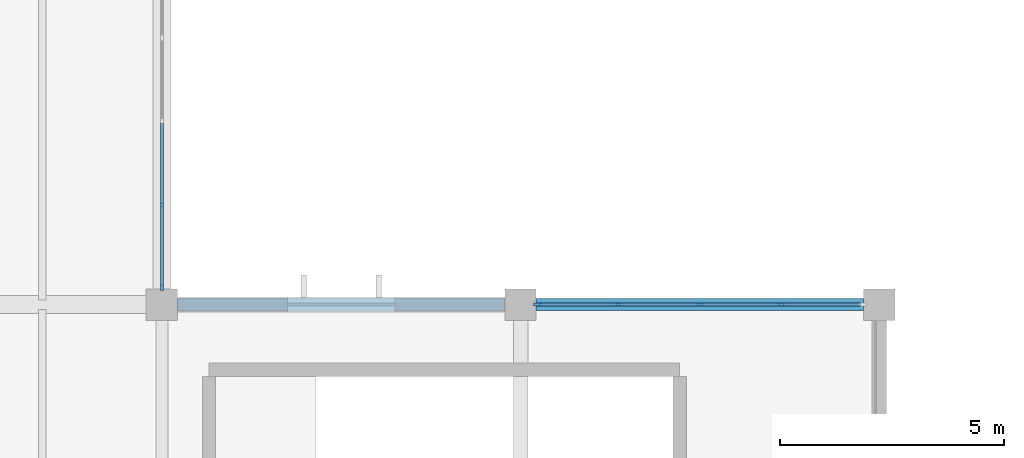
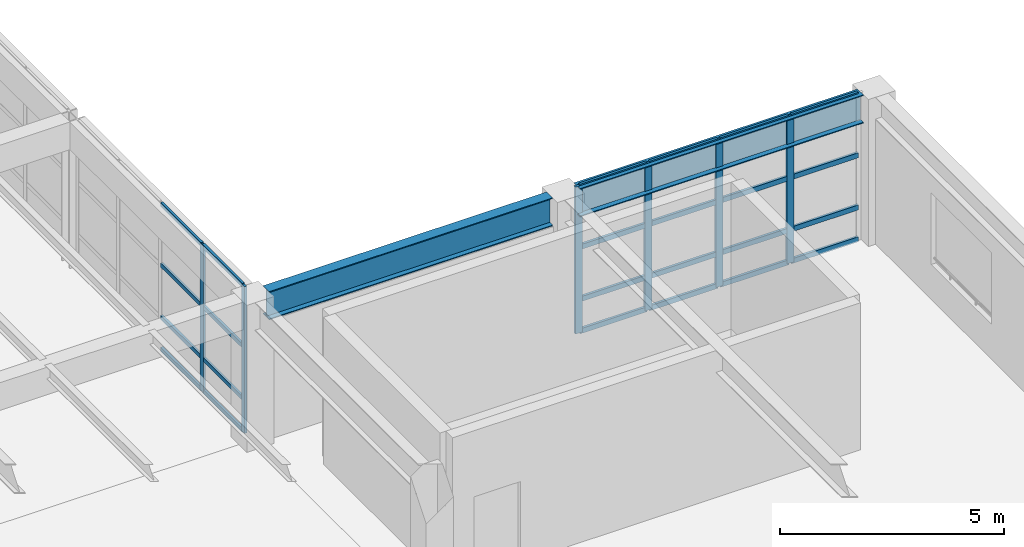
# One storey, part 12 of 48: 30 members, 2 beams, 2 elements without a shape of their own.
"""IFC4 building model written with IfcOpenShell, lengths in metres."""

import ifcopenshell
import ifcopenshell.guid

model = None  # the IFC model being written
_history = None  # IfcOwnerHistory: only IFC2X3 demands one
_inside = {}  # id of a spatial element -> (the spatial element, [elements in it])
_under = {}  # id of a project, library or spatial element -> (it, [spatial elements below it])
_declared = {}  # id of a project -> (the project, [libraries it declares])
_typed = {}  # id of a type object -> (the type object, [elements of that type])
_made_of = {}  # id of a material, layer set ... -> (it, [elements and type objects made of it])


def new_model(schema):
    """Start an empty IFC model of exactly this schema.

    Asked for "IFC4X3", IfcOpenShell would pick the latest addendum, in which some entities
    have other attributes; the version numbers below select the first issue.
    IFC2X3 requires an IfcOwnerHistory on every rooted entity: one is made here for all.
    """
    global model, _history
    if schema == "IFC4X3":
        model = ifcopenshell.file(schema_version=(4, 3, 0, 0))
    else:
        model = ifcopenshell.file(schema=schema)
    _inside.clear()
    _under.clear()
    _declared.clear()
    _typed.clear()
    _made_of.clear()
    _history = None
    if model.schema == "IFC2X3":
        org = make("IfcOrganization", Name="unknown")
        user = make(
            "IfcPersonAndOrganization",
            ThePerson=make("IfcPerson", FamilyName="unknown"),
            TheOrganization=org,
        )
        app = make(
            "IfcApplication",
            ApplicationDeveloper=org,
            Version="unknown",
            ApplicationFullName="unknown",
            ApplicationIdentifier="unknown",
        )
        _history = make(
            "IfcOwnerHistory",
            OwningUser=user,
            OwningApplication=app,
            ChangeAction="ADDED",
            CreationDate=0,
        )
    return model


def make(cls, **values):
    """One entity of the class cls with the attributes given. An attribute that is None is left unset."""
    return model.create_entity(
        cls, **{name: value for name, value in values.items() if value is not None}
    )


def rooted(cls, **values):
    """An entity with a GlobalId (a new one), such as an element, a storey or a relation."""
    return make(cls, GlobalId=ifcopenshell.guid.new(), OwnerHistory=_history, **values)


def si_unit(unit_type, name, prefix=None):
    """IfcSIUnit, for example si_unit("LENGTHUNIT", "METRE", prefix="MILLI")."""
    return make("IfcSIUnit", UnitType=unit_type, Prefix=prefix, Name=name)


def assignment(units):
    """IfcUnitAssignment: the units of a project."""
    return None if units is None else make("IfcUnitAssignment", Units=units)


def point(xyz):
    """IfcCartesianPoint."""
    return None if xyz is None else make("IfcCartesianPoint", Coordinates=xyz)


def direction(xyz):
    """IfcDirection."""
    return None if xyz is None else make("IfcDirection", DirectionRatios=xyz)


def frame(location, z_axis=None, x_axis=None):
    """IfcAxis2Placement3D, a coordinate frame: its origin and axes. An axis left out is left unset."""
    return make(
        "IfcAxis2Placement3D",
        Location=point(location),
        Axis=direction(z_axis),
        RefDirection=direction(x_axis),
    )


def frame_2d(location, x_axis=None):
    """IfcAxis2Placement2D, a coordinate frame in the plane: its origin and x axis."""
    return make(
        "IfcAxis2Placement2D", Location=point(location), RefDirection=direction(x_axis)
    )


def origin():
    """The frame at (0, 0, 0) with its axes left unset."""
    return frame((0.0, 0.0, 0.0))


def origin_2d():
    """The frame at (0, 0) in the plane with its x axis left unset."""
    return frame_2d((0.0, 0.0))


def place(relative_to, where):
    """IfcLocalPlacement: puts the frame where relative to a parent placement (None: the world)."""
    return make(
        "IfcLocalPlacement", PlacementRelTo=relative_to, RelativePlacement=where
    )


def context(
    kind, dimensions, precision=None, world=None, true_north=None, identifier=None
):
    """IfcGeometricRepresentationContext, for example the 3D "Model" context."""
    return make(
        "IfcGeometricRepresentationContext",
        ContextIdentifier=identifier,
        ContextType=kind,
        CoordinateSpaceDimension=dimensions,
        Precision=precision,
        WorldCoordinateSystem=world,
        TrueNorth=true_north,
    )


def subcontext(parent, identifier, kind, view, scale=None):
    """IfcGeometricRepresentationSubContext, for example "Body" below "Model"."""
    return make(
        "IfcGeometricRepresentationSubContext",
        ContextIdentifier=identifier,
        ContextType=kind,
        ParentContext=parent,
        TargetScale=scale,
        TargetView=view,
    )


def project(units=None, contexts=None):
    """IfcProject with its units and contexts."""
    return rooted(
        "IfcProject",
        Name="project",
        RepresentationContexts=contexts,
        UnitsInContext=assignment(units),
    )


def spatial(cls, under=None, at=None, **own):
    """A site, building, storey or space (cls), placed at a placement, below another one or the project."""
    s = rooted(cls, ObjectPlacement=at, **own)
    if under is not None:
        _under.setdefault(under.id(), (under, []))[1].append(s)
    return s


def profile(cls, at=None, kind="AREA", **sizes):
    """A parametric profile (cls). Its sizes go by their IFC names, for example OverallWidth=200.0."""
    return make(cls, ProfileType=kind, Position=at, **sizes)


def rectangle(**sizes):
    """IfcRectangleProfileDef."""
    return profile("IfcRectangleProfileDef", **sizes)


def i_section(**sizes):
    """IfcIShapeProfileDef."""
    return profile("IfcIShapeProfileDef", **sizes)


def extrude(swept, where, along, depth):
    """IfcExtrudedAreaSolid: the profile swept, set in the frame where, extruded along a direction by depth."""
    return make(
        "IfcExtrudedAreaSolid",
        SweptArea=swept,
        Position=where,
        ExtrudedDirection=direction(along),
        Depth=depth,
    )


def shape(context_of_items, identifier, shape_type, items):
    """IfcShapeRepresentation: the items that make up one representation, for example the "Body"."""
    return make(
        "IfcShapeRepresentation",
        ContextOfItems=context_of_items,
        RepresentationIdentifier=identifier,
        RepresentationType=shape_type,
        Items=items,
    )


def material(Name=None, Category=None):
    """IfcMaterial."""
    return make("IfcMaterial", Name=Name, Category=Category)


def layer(
    of_material, thickness, ventilated=None, Name=None, Category=None, Priority=None
):
    """IfcMaterialLayer: one layer of a wall or slab, of a material (None: an air gap)."""
    return make(
        "IfcMaterialLayer",
        Material=of_material,
        LayerThickness=thickness,
        IsVentilated=ventilated,
        Name=Name,
        Category=Category,
        Priority=Priority,
    )


def layer_set(layers, Name=None):
    """IfcMaterialLayerSet."""
    return make("IfcMaterialLayerSet", MaterialLayers=layers, LayerSetName=Name)


def material_profile(
    of_material, cross_section, Name=None, Category=None, Priority=None
):
    """IfcMaterialProfile: a cross section and its material."""
    return make(
        "IfcMaterialProfile",
        Name=Name,
        Material=of_material,
        Profile=cross_section,
        Priority=Priority,
        Category=Category,
    )


def profile_set(profiles, Name=None, composite=None):
    """IfcMaterialProfileSet."""
    return make(
        "IfcMaterialProfileSet",
        Name=Name,
        MaterialProfiles=profiles,
        CompositeProfile=composite,
    )


def made_of(thing, what):
    """Note that an element or type object is made of a material, layer set ...; save() writes the relation."""
    if what is not None:
        _made_of.setdefault(what.id(), (what, []))[1].append(thing)
    return thing


def type_object(cls, material=None, **own):
    """A type object (cls), such as IfcWallType, which elements share."""
    return made_of(rooted(cls, **own), material)


def element(
    cls,
    number,
    at=None,
    inside=None,
    cuts=None,
    type_object=None,
    material=None,
    context=None,
    identifier="Body",
    shape_type=None,
    held_by="IfcProductDefinitionShape",
    body=None,
    shapes=None,
    **own,
):
    """One element of the class cls, such as IfcWall. Its Tag is "e" and its number.

    at: its placement. inside: the storey or other place that contains it. cuts: it is an
    opening in that element (IfcRelVoidsElement). A single representation is given by context,
    identifier, shape_type and body (its items); several are given by shapes. held_by: the class
    of the entity that holds the representations. save() writes the other relations.
    """
    e = rooted(cls, Tag="e%d" % number, ObjectPlacement=at, **own)
    if body is not None:
        shapes = [shape(context, identifier, shape_type, body)]
    if shapes is not None:
        e.Representation = make(held_by, Representations=shapes)
    if inside is not None:
        _inside.setdefault(inside.id(), (inside, []))[1].append(e)
    if cuts is not None:
        rooted(
            "IfcRelVoidsElement", RelatingBuildingElement=cuts, RelatedOpeningElement=e
        )
    if type_object is not None:
        _typed.setdefault(type_object.id(), (type_object, []))[1].append(e)
    return made_of(e, material)


def aggregate(whole, parts):
    """IfcRelAggregates: a whole, such as a stair, and the parts it consists of."""
    return rooted("IfcRelAggregates", RelatingObject=whole, RelatedObjects=parts)


def save(model, path):
    """Write the relations noted so far, then the file.

    IfcRelAggregates (storeys below a building ...), IfcRelContainedInSpatialStructure (elements
    in a storey), IfcRelDefinesByType, IfcRelAssociatesMaterial and IfcRelDeclares: one each for
    every whole, place, type object, material and project.
    """
    for whole, parts in _under.values():
        aggregate(whole, parts)
    for where, things in _inside.values():
        rooted(
            "IfcRelContainedInSpatialStructure",
            RelatedElements=things,
            RelatingStructure=where,
        )
    for kind, things in _typed.values():
        rooted("IfcRelDefinesByType", RelatedObjects=things, RelatingType=kind)
    for what, things in _made_of.values():
        rooted("IfcRelAssociatesMaterial", RelatedObjects=things, RelatingMaterial=what)
    for by, libraries in _declared.values():
        rooted("IfcRelDeclares", RelatingContext=by, RelatedDefinitions=libraries)
    model.write(path)


model = new_model("IFC4")

# Units and contexts
model_context = context("Model", 3, precision=1e-05, world=origin(), true_north=direction((0.0, 1.0)))
body_context = subcontext(model_context, "Body", "Model", "MODEL_VIEW")
ifc_project = project(units=[si_unit("LENGTHUNIT", "METRE"), si_unit("AREAUNIT", "SQUARE_METRE"), si_unit("VOLUMEUNIT", "CUBIC_METRE"), si_unit("PLANEANGLEUNIT", "RADIAN"), si_unit("MASSUNIT", "GRAM", prefix="KILO")], contexts=[model_context])

# Site, building, storey
site_placement = place(None, origin())
site = spatial("IfcSite", under=ifc_project, at=site_placement, CompositionType="ELEMENT")
building_placement = place(site_placement, origin())
building = spatial("IfcBuilding", under=site, at=building_placement, Name="Varnela Railside Interchange", CompositionType="ELEMENT")
storey_placement = place(building_placement, frame((0.0, 0.0, 11.199951171875)))
storey = spatial("IfcBuildingStorey", under=building, at=storey_placement, Name="L02", CompositionType="ELEMENT", Elevation=11.199951171875)

# Beams
ifc_material_1 = material(Name="Steel AR 350 (350 MPa)", Category="steel")
ifc_material_profile_1 = material_profile(ifc_material_1, i_section(OverallWidth=0.26806640625, OverallDepth=0.77001953125, WebThickness=0.015625, FlangeThickness=0.025390625, at=origin_2d()), Name="W760x196")
ifc_profile_set_1 = profile_set([ifc_material_profile_1], Name="Steel AR 350 (350 MPa)")
beam_type = type_object("IfcBeamType", Name="Concourse Compression Ring Beam RB-01", PredefinedType="BEAM", material=ifc_profile_set_1)
for number, where, z_axis, x_axis, name in (
    (1, (52.35009765625, 62.0, 3.614990234375), (1.0, 0.0, 0.0), (0.0, 1.0, 0.0), "Concourse Compression Ring Beam RB-01 (L02) (BM-1984)"),
    (2, (60.35009765625, 62.0, 3.614990234375), (1.0, 0.0, 0.0), (0.0, 1.0, 0.0), "Concourse Compression Ring Beam RB-01 (L02) (BM-1985)"),
):
    element("IfcBeam", number, at=place(storey_placement, frame(where, z_axis=z_axis, x_axis=x_axis)), inside=storey, type_object=beam_type, Name=name, PredefinedType="BEAM", context=body_context, shape_type="SweptSolid", body=[
        extrude(i_section(OverallWidth=0.26806640625, OverallDepth=0.77001953125, WebThickness=0.015625, FlangeThickness=0.025390625, at=origin_2d()), origin(), (0.0, 0.0, 1.0), 7.2998046875),
    ])

# Curtain wall, members
ifc_material_2 = material(Name="Aluminium 6063-T6", Category="aluminium")
ifc_layer_1 = layer(ifc_material_2, 0.035888671875)
ifc_layer_set_1 = layer_set([ifc_layer_1], Name="Aluminium 6063-T6")
curtain_wall_type_1 = type_object("IfcCurtainWallType", Name="Concourse Triple-Height Curtain Wall CW-01", PredefinedType="USERDEFINED", material=ifc_layer_set_1)
curtain_wall_1_placement = place(storey_placement, origin())
curtain_wall_1 = element("IfcCurtainWall", 3, at=curtain_wall_1_placement, inside=storey, type_object=curtain_wall_type_1, Name="Curtain Wall CW-01 (L02) (CW-052)", ObjectType="CURTAIN WALL", PredefinedType="USERDEFINED")
ifc_material_profile_2 = material_profile(ifc_material_2, rectangle(XDim=0.06494140625, YDim=0.179931640625, at=origin_2d()), Name="ALU 65x180")
ifc_profile_set_2 = profile_set([ifc_material_profile_2], Name="Aluminium 6063-T6")
member_type_1 = type_object("IfcMemberType", Name="Concourse Tall Mullion ML-03", PredefinedType="MULLION", material=ifc_profile_set_2)
member_1_placement = place(storey_placement, frame((60.382568359375, 62.0, 0.0), z_axis=(0.0, 0.0, 1.0), x_axis=(0.0, 1.0, 0.0)))
member_1 = element("IfcMember", 4, at=member_1_placement, type_object=member_type_1, Name="CW-01 mullion 1", PredefinedType="MULLION", context=body_context, shape_type="SweptSolid", body=[
    extrude(rectangle(XDim=0.06494140625, YDim=0.179931640625, at=origin_2d()), origin(), (0.0, 0.0, 1.0), 4.0),
])
member_2_placement = place(storey_placement, frame((62.175048828125, 62.0, 0.0), z_axis=(0.0, 0.0, 1.0), x_axis=(0.0, 1.0, 0.0)))
member_2 = element("IfcMember", 5, at=member_2_placement, type_object=member_type_1, Name="CW-01 mullion 2", PredefinedType="MULLION", context=body_context, shape_type="SweptSolid", body=[
    extrude(rectangle(XDim=0.06494140625, YDim=0.179931640625, at=origin_2d()), origin(), (0.0, 0.0, 1.0), 4.0),
])
member_3_placement = place(storey_placement, frame((64.0, 62.0, 0.0), z_axis=(0.0, 0.0, 1.0), x_axis=(0.0, 1.0, 0.0)))
member_3 = element("IfcMember", 6, at=member_3_placement, type_object=member_type_1, Name="CW-01 mullion 3", PredefinedType="MULLION", context=body_context, shape_type="SweptSolid", body=[
    extrude(rectangle(XDim=0.06494140625, YDim=0.179931640625, at=origin_2d()), origin(), (0.0, 0.0, 1.0), 4.0),
])
member_4_placement = place(storey_placement, frame((65.824951171875, 62.0, 0.0), z_axis=(0.0, 0.0, 1.0), x_axis=(0.0, 1.0, 0.0)))
member_4 = element("IfcMember", 7, at=member_4_placement, type_object=member_type_1, Name="CW-01 mullion 4", PredefinedType="MULLION", context=body_context, shape_type="SweptSolid", body=[
    extrude(rectangle(XDim=0.06494140625, YDim=0.179931640625, at=origin_2d()), origin(), (0.0, 0.0, 1.0), 4.0),
])
ifc_material_profile_3 = material_profile(ifc_material_2, rectangle(XDim=0.06494140625, YDim=0.135009765625, at=origin_2d()), Name="ALU 65x135")
ifc_profile_set_3 = profile_set([ifc_material_profile_3], Name="Aluminium 6063-T6")
member_type_2 = type_object("IfcMemberType", Name="Concourse Transom TR-03", PredefinedType="USERDEFINED", material=ifc_profile_set_3)
member_5_placement = place(storey_placement, frame((60.4150390625, 62.0, 0.032470703125), z_axis=(1.0, 0.0, 0.0), x_axis=(0.0, 1.0, 0.0)))
member_5 = element("IfcMember", 8, at=member_5_placement, type_object=member_type_2, Name="CW-01 transom 1.1", ObjectType="TRANSOM", PredefinedType="USERDEFINED", context=body_context, shape_type="SweptSolid", body=[
    extrude(rectangle(XDim=0.06494140625, YDim=0.135009765625, at=origin_2d()), origin(), (0.0, 0.0, 1.0), 1.7275390625),
])
member_6_placement = place(storey_placement, frame((60.4150390625, 62.0, 0.900146484375), z_axis=(1.0, 0.0, 0.0), x_axis=(0.0, 1.0, 0.0)))
member_6 = element("IfcMember", 9, at=member_6_placement, type_object=member_type_2, Name="CW-01 transom 1.2", ObjectType="TRANSOM", PredefinedType="USERDEFINED", context=body_context, shape_type="SweptSolid", body=[
    extrude(rectangle(XDim=0.06494140625, YDim=0.135009765625, at=origin_2d()), origin(), (0.0, 0.0, 1.0), 1.7275390625),
])
member_7_placement = place(storey_placement, frame((60.4150390625, 62.0, 2.320068359375), z_axis=(1.0, 0.0, 0.0), x_axis=(0.0, 1.0, 0.0)))
member_7 = element("IfcMember", 10, at=member_7_placement, type_object=member_type_2, Name="CW-01 transom 1.3", ObjectType="TRANSOM", PredefinedType="USERDEFINED", context=body_context, shape_type="SweptSolid", body=[
    extrude(rectangle(XDim=0.06494140625, YDim=0.135009765625, at=origin_2d()), origin(), (0.0, 0.0, 1.0), 1.7275390625),
])
member_8_placement = place(storey_placement, frame((60.4150390625, 62.0, 3.967529296875), z_axis=(1.0, 0.0, 0.0), x_axis=(0.0, 1.0, 0.0)))
member_8 = element("IfcMember", 11, at=member_8_placement, type_object=member_type_2, Name="CW-01 transom 1.4", ObjectType="TRANSOM", PredefinedType="USERDEFINED", context=body_context, shape_type="SweptSolid", body=[
    extrude(rectangle(XDim=0.06494140625, YDim=0.135009765625, at=origin_2d()), origin(), (0.0, 0.0, 1.0), 1.7275390625),
])
member_9_placement = place(storey_placement, frame((62.20751953125, 62.0, 0.032470703125), z_axis=(1.0, 0.0, 0.0), x_axis=(0.0, 1.0, 0.0)))
member_9 = element("IfcMember", 12, at=member_9_placement, type_object=member_type_2, Name="CW-01 transom 2.1", ObjectType="TRANSOM", PredefinedType="USERDEFINED", context=body_context, shape_type="SweptSolid", body=[
    extrude(rectangle(XDim=0.06494140625, YDim=0.135009765625, at=origin_2d()), origin(), (0.0, 0.0, 1.0), 1.760009765625),
])
member_10_placement = place(storey_placement, frame((62.20751953125, 62.0, 0.900146484375), z_axis=(1.0, 0.0, 0.0), x_axis=(0.0, 1.0, 0.0)))
member_10 = element("IfcMember", 13, at=member_10_placement, type_object=member_type_2, Name="CW-01 transom 2.2", ObjectType="TRANSOM", PredefinedType="USERDEFINED", context=body_context, shape_type="SweptSolid", body=[
    extrude(rectangle(XDim=0.06494140625, YDim=0.135009765625, at=origin_2d()), origin(), (0.0, 0.0, 1.0), 1.760009765625),
])
member_11_placement = place(storey_placement, frame((62.20751953125, 62.0, 2.320068359375), z_axis=(1.0, 0.0, 0.0), x_axis=(0.0, 1.0, 0.0)))
member_11 = element("IfcMember", 14, at=member_11_placement, type_object=member_type_2, Name="CW-01 transom 2.3", ObjectType="TRANSOM", PredefinedType="USERDEFINED", context=body_context, shape_type="SweptSolid", body=[
    extrude(rectangle(XDim=0.06494140625, YDim=0.135009765625, at=origin_2d()), origin(), (0.0, 0.0, 1.0), 1.760009765625),
])
member_12_placement = place(storey_placement, frame((62.20751953125, 62.0, 3.967529296875), z_axis=(1.0, 0.0, 0.0), x_axis=(0.0, 1.0, 0.0)))
member_12 = element("IfcMember", 15, at=member_12_placement, type_object=member_type_2, Name="CW-01 transom 2.4", ObjectType="TRANSOM", PredefinedType="USERDEFINED", context=body_context, shape_type="SweptSolid", body=[
    extrude(rectangle(XDim=0.06494140625, YDim=0.135009765625, at=origin_2d()), origin(), (0.0, 0.0, 1.0), 1.760009765625),
])
member_13_placement = place(storey_placement, frame((64.032470703125, 62.0, 0.032470703125), z_axis=(1.0, 0.0, 0.0), x_axis=(0.0, 1.0, 0.0)))
member_13 = element("IfcMember", 16, at=member_13_placement, type_object=member_type_2, Name="CW-01 transom 3.1", ObjectType="TRANSOM", PredefinedType="USERDEFINED", context=body_context, shape_type="SweptSolid", body=[
    extrude(rectangle(XDim=0.06494140625, YDim=0.135009765625, at=origin_2d()), origin(), (0.0, 0.0, 1.0), 1.760009765625),
])
member_14_placement = place(storey_placement, frame((64.032470703125, 62.0, 0.900146484375), z_axis=(1.0, 0.0, 0.0), x_axis=(0.0, 1.0, 0.0)))
member_14 = element("IfcMember", 17, at=member_14_placement, type_object=member_type_2, Name="CW-01 transom 3.2", ObjectType="TRANSOM", PredefinedType="USERDEFINED", context=body_context, shape_type="SweptSolid", body=[
    extrude(rectangle(XDim=0.06494140625, YDim=0.135009765625, at=origin_2d()), origin(), (0.0, 0.0, 1.0), 1.760009765625),
])
member_15_placement = place(storey_placement, frame((64.032470703125, 62.0, 2.320068359375), z_axis=(1.0, 0.0, 0.0), x_axis=(0.0, 1.0, 0.0)))
member_15 = element("IfcMember", 18, at=member_15_placement, type_object=member_type_2, Name="CW-01 transom 3.3", ObjectType="TRANSOM", PredefinedType="USERDEFINED", context=body_context, shape_type="SweptSolid", body=[
    extrude(rectangle(XDim=0.06494140625, YDim=0.135009765625, at=origin_2d()), origin(), (0.0, 0.0, 1.0), 1.760009765625),
])
member_16_placement = place(storey_placement, frame((64.032470703125, 62.0, 3.967529296875), z_axis=(1.0, 0.0, 0.0), x_axis=(0.0, 1.0, 0.0)))
member_16 = element("IfcMember", 19, at=member_16_placement, type_object=member_type_2, Name="CW-01 transom 3.4", ObjectType="TRANSOM", PredefinedType="USERDEFINED", context=body_context, shape_type="SweptSolid", body=[
    extrude(rectangle(XDim=0.06494140625, YDim=0.135009765625, at=origin_2d()), origin(), (0.0, 0.0, 1.0), 1.760009765625),
])
member_17_placement = place(storey_placement, frame((65.857421875, 62.0, 0.032470703125), z_axis=(1.0, 0.0, 0.0), x_axis=(0.0, 1.0, 0.0)))
member_17 = element("IfcMember", 20, at=member_17_placement, type_object=member_type_2, Name="CW-01 transom 4.1", ObjectType="TRANSOM", PredefinedType="USERDEFINED", context=body_context, shape_type="SweptSolid", body=[
    extrude(rectangle(XDim=0.06494140625, YDim=0.135009765625, at=origin_2d()), origin(), (0.0, 0.0, 1.0), 1.7275390625),
])
member_18_placement = place(storey_placement, frame((65.857421875, 62.0, 0.900146484375), z_axis=(1.0, 0.0, 0.0), x_axis=(0.0, 1.0, 0.0)))
member_18 = element("IfcMember", 21, at=member_18_placement, type_object=member_type_2, Name="CW-01 transom 4.2", ObjectType="TRANSOM", PredefinedType="USERDEFINED", context=body_context, shape_type="SweptSolid", body=[
    extrude(rectangle(XDim=0.06494140625, YDim=0.135009765625, at=origin_2d()), origin(), (0.0, 0.0, 1.0), 1.7275390625),
])
member_19_placement = place(storey_placement, frame((65.857421875, 62.0, 2.320068359375), z_axis=(1.0, 0.0, 0.0), x_axis=(0.0, 1.0, 0.0)))
member_19 = element("IfcMember", 22, at=member_19_placement, type_object=member_type_2, Name="CW-01 transom 4.3", ObjectType="TRANSOM", PredefinedType="USERDEFINED", context=body_context, shape_type="SweptSolid", body=[
    extrude(rectangle(XDim=0.06494140625, YDim=0.135009765625, at=origin_2d()), origin(), (0.0, 0.0, 1.0), 1.7275390625),
])
member_20_placement = place(storey_placement, frame((65.857421875, 62.0, 3.967529296875), z_axis=(1.0, 0.0, 0.0), x_axis=(0.0, 1.0, 0.0)))
member_20 = element("IfcMember", 23, at=member_20_placement, type_object=member_type_2, Name="CW-01 transom 4.4", ObjectType="TRANSOM", PredefinedType="USERDEFINED", context=body_context, shape_type="SweptSolid", body=[
    extrude(rectangle(XDim=0.06494140625, YDim=0.135009765625, at=origin_2d()), origin(), (0.0, 0.0, 1.0), 1.7275390625),
])
aggregate(curtain_wall_1, [member_1, member_2, member_3, member_4, member_5, member_6, member_7, member_8, member_9, member_10, member_11, member_12, member_13, member_14, member_15, member_16, member_17, member_18, member_19, member_20])

ifc_layer_2 = layer(ifc_material_2, 0.035888671875)
ifc_layer_set_2 = layer_set([ifc_layer_2], Name="Aluminium 6063-T6")
curtain_wall_type_2 = type_object("IfcCurtainWallType", Name="Operations Wing Facade Curtain Wall CW-03", PredefinedType="USERDEFINED", material=ifc_layer_set_2)
curtain_wall_2_placement = place(storey_placement, origin())
curtain_wall_2 = element("IfcCurtainWall", 24, at=curtain_wall_2_placement, inside=storey, type_object=curtain_wall_type_2, Name="Curtain Wall CW-03 (L02) (CW-051)", ObjectType="CURTAIN WALL", PredefinedType="USERDEFINED")
ifc_material_profile_4 = material_profile(ifc_material_2, rectangle(XDim=0.06005859375, YDim=0.139892578125, at=origin_2d()), Name="ALU 60x140")
ifc_profile_set_4 = profile_set([ifc_material_profile_4], Name="Aluminium 6063-T6")
member_type_3 = type_object("IfcMemberType", Name="Curtain Wall Mullion ML-01", PredefinedType="MULLION", material=ifc_profile_set_4)
member_21_placement = place(storey_placement, frame((52.0, 64.215576171875, 0.0), z_axis=(0.0, 0.0, 1.0), x_axis=(1.0, 0.0, 0.0)))
member_21 = element("IfcMember", 25, at=member_21_placement, type_object=member_type_3, Name="CW-03 mullion 4", PredefinedType="MULLION", context=body_context, shape_type="SweptSolid", body=[
    extrude(rectangle(XDim=0.06005859375, YDim=0.139892578125, at=origin_2d()), origin(), (0.0, 0.0, 1.0), 4.0),
])
member_22_placement = place(storey_placement, frame((52.0, 62.3798828125, 0.0), z_axis=(0.0, 0.0, 1.0), x_axis=(1.0, 0.0, 0.0)))
member_22 = element("IfcMember", 26, at=member_22_placement, type_object=member_type_3, Name="CW-03 mullion 5", PredefinedType="MULLION", context=body_context, shape_type="SweptSolid", body=[
    extrude(rectangle(XDim=0.06005859375, YDim=0.139892578125, at=origin_2d()), origin(), (0.0, 0.0, 1.0), 4.0),
])
ifc_material_profile_5 = material_profile(ifc_material_2, rectangle(XDim=0.06005859375, YDim=0.110107421875, at=origin_2d()), Name="ALU 60x110")
ifc_profile_set_5 = profile_set([ifc_material_profile_5], Name="Aluminium 6063-T6")
member_type_4 = type_object("IfcMemberType", Name="Curtain Wall Transom TR-01", PredefinedType="USERDEFINED", material=ifc_profile_set_5)
member_23_placement = place(storey_placement, frame((52.0, 66.05126953125, 0.030029296875), z_axis=(0.0, -1.0, 0.0), x_axis=(1.0, 0.0, 0.0)))
member_23 = element("IfcMember", 27, at=member_23_placement, type_object=member_type_4, Name="CW-03 transom 3.1", ObjectType="TRANSOM", PredefinedType="USERDEFINED", context=body_context, shape_type="SweptSolid", body=[
    extrude(rectangle(XDim=0.06005859375, YDim=0.110107421875, at=origin_2d()), origin(), (0.0, 0.0, 1.0), 1.8056640625),
])
member_24_placement = place(storey_placement, frame((52.0, 66.05126953125, 0.900146484375), z_axis=(0.0, -1.0, 0.0), x_axis=(1.0, 0.0, 0.0)))
member_24 = element("IfcMember", 28, at=member_24_placement, type_object=member_type_4, Name="CW-03 transom 3.2", ObjectType="TRANSOM", PredefinedType="USERDEFINED", context=body_context, shape_type="SweptSolid", body=[
    extrude(rectangle(XDim=0.06005859375, YDim=0.110107421875, at=origin_2d()), origin(), (0.0, 0.0, 1.0), 1.8056640625),
])
member_25_placement = place(storey_placement, frame((52.0, 66.05126953125, 2.320068359375), z_axis=(0.0, -1.0, 0.0), x_axis=(1.0, 0.0, 0.0)))
member_25 = element("IfcMember", 29, at=member_25_placement, type_object=member_type_4, Name="CW-03 transom 3.3", ObjectType="TRANSOM", PredefinedType="USERDEFINED", context=body_context, shape_type="SweptSolid", body=[
    extrude(rectangle(XDim=0.06005859375, YDim=0.110107421875, at=origin_2d()), origin(), (0.0, 0.0, 1.0), 1.8056640625),
])
member_26_placement = place(storey_placement, frame((52.0, 66.05126953125, 3.969970703125), z_axis=(0.0, -1.0, 0.0), x_axis=(1.0, 0.0, 0.0)))
member_26 = element("IfcMember", 30, at=member_26_placement, type_object=member_type_4, Name="CW-03 transom 3.4", ObjectType="TRANSOM", PredefinedType="USERDEFINED", context=body_context, shape_type="SweptSolid", body=[
    extrude(rectangle(XDim=0.06005859375, YDim=0.110107421875, at=origin_2d()), origin(), (0.0, 0.0, 1.0), 1.8056640625),
])
member_27_placement = place(storey_placement, frame((52.0, 64.185546875, 0.030029296875), z_axis=(0.0, -1.0, 0.0), x_axis=(1.0, 0.0, 0.0)))
member_27 = element("IfcMember", 31, at=member_27_placement, type_object=member_type_4, Name="CW-03 transom 4.1", ObjectType="TRANSOM", PredefinedType="USERDEFINED", context=body_context, shape_type="SweptSolid", body=[
    extrude(rectangle(XDim=0.06005859375, YDim=0.110107421875, at=origin_2d()), origin(), (0.0, 0.0, 1.0), 1.775634765625),
])
member_28_placement = place(storey_placement, frame((52.0, 64.185546875, 0.900146484375), z_axis=(0.0, -1.0, 0.0), x_axis=(1.0, 0.0, 0.0)))
member_28 = element("IfcMember", 32, at=member_28_placement, type_object=member_type_4, Name="CW-03 transom 4.2", ObjectType="TRANSOM", PredefinedType="USERDEFINED", context=body_context, shape_type="SweptSolid", body=[
    extrude(rectangle(XDim=0.06005859375, YDim=0.110107421875, at=origin_2d()), origin(), (0.0, 0.0, 1.0), 1.775634765625),
])
member_29_placement = place(storey_placement, frame((52.0, 64.185546875, 2.320068359375), z_axis=(0.0, -1.0, 0.0), x_axis=(1.0, 0.0, 0.0)))
member_29 = element("IfcMember", 33, at=member_29_placement, type_object=member_type_4, Name="CW-03 transom 4.3", ObjectType="TRANSOM", PredefinedType="USERDEFINED", context=body_context, shape_type="SweptSolid", body=[
    extrude(rectangle(XDim=0.06005859375, YDim=0.110107421875, at=origin_2d()), origin(), (0.0, 0.0, 1.0), 1.775634765625),
])
member_30_placement = place(storey_placement, frame((52.0, 64.185546875, 3.969970703125), z_axis=(0.0, -1.0, 0.0), x_axis=(1.0, 0.0, 0.0)))
member_30 = element("IfcMember", 34, at=member_30_placement, type_object=member_type_4, Name="CW-03 transom 4.4", ObjectType="TRANSOM", PredefinedType="USERDEFINED", context=body_context, shape_type="SweptSolid", body=[
    extrude(rectangle(XDim=0.06005859375, YDim=0.110107421875, at=origin_2d()), origin(), (0.0, 0.0, 1.0), 1.775634765625),
])
aggregate(curtain_wall_2, [member_21, member_22, member_23, member_24, member_25, member_26, member_27, member_28, member_29, member_30])

save(model, "model.ifc")
